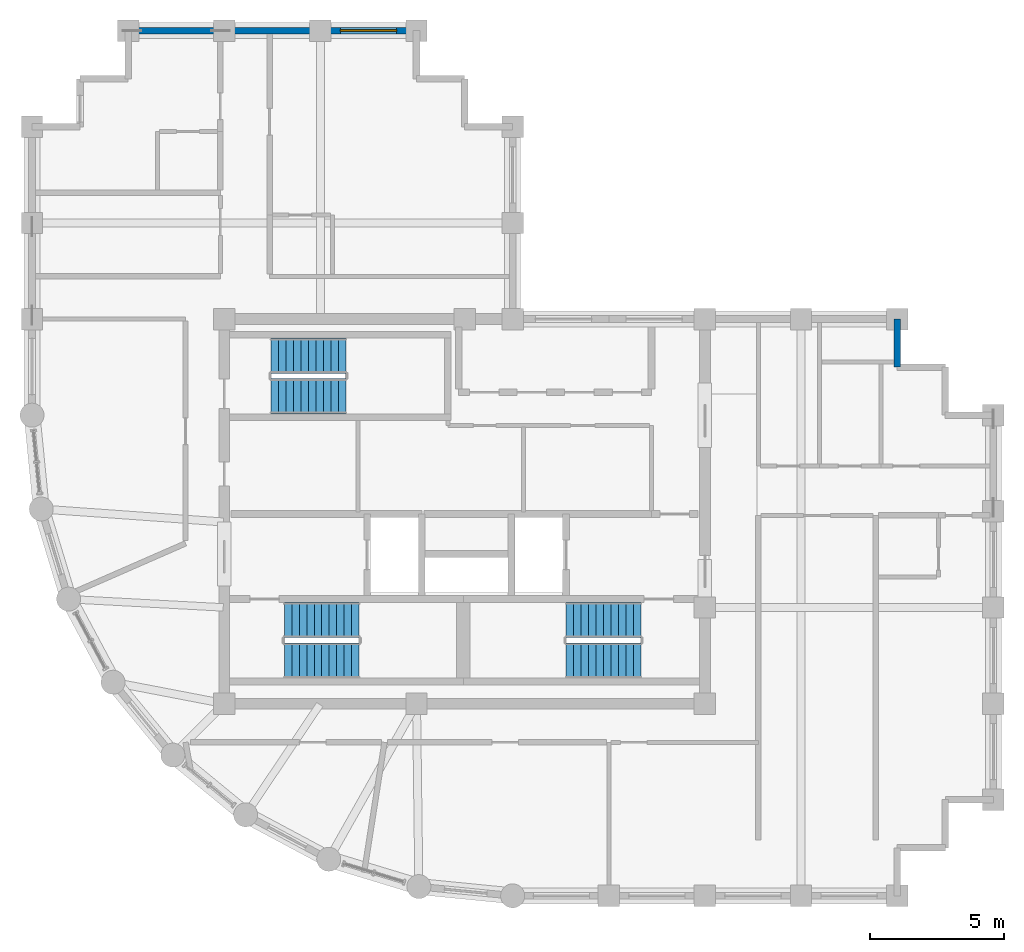
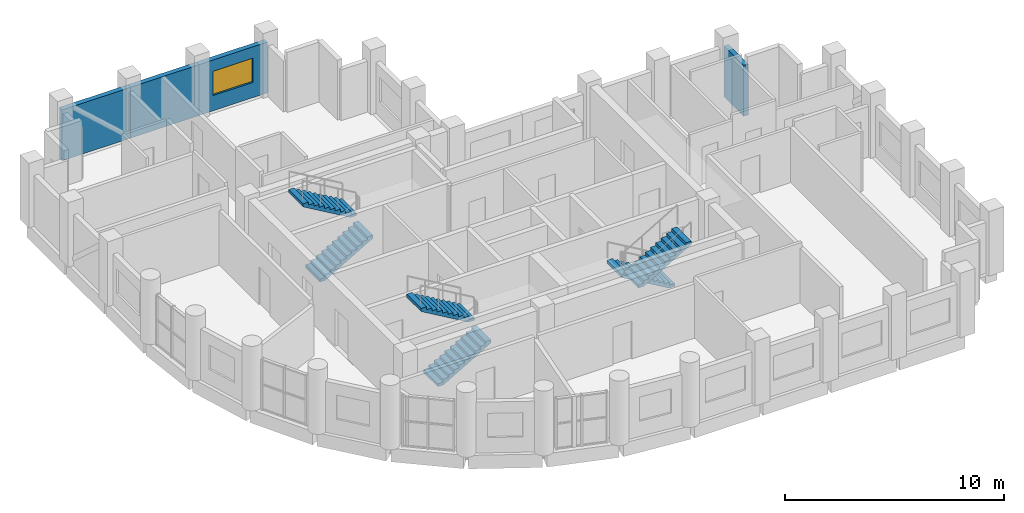
# One storey, part 10 of 11: 6 stair flights, 4 walls, 1 window, 1 opening, 3 elements without a shape of their own.
"""IFC4 building model written with IfcOpenShell, lengths in metres."""

from ifc_helpers import new_model, si_unit, direction, frame, frame_2d, origin, place, context, subcontext, project, spatial, polyline, rectangle, outline, extrude, material, layer, layer_set, type_object, element, fill, aggregate, save


model = new_model("IFC4")

# Units and contexts
model_context = context("Model", 3, precision=1e-05, world=origin(), true_north=direction((0.0, 1.0)))
body_context = subcontext(model_context, "Body", "Model", "MODEL_VIEW")
ifc_project = project(units=[si_unit("LENGTHUNIT", "METRE"), si_unit("AREAUNIT", "SQUARE_METRE"), si_unit("VOLUMEUNIT", "CUBIC_METRE"), si_unit("PLANEANGLEUNIT", "RADIAN"), si_unit("MASSUNIT", "GRAM", prefix="KILO")], contexts=[model_context])

# Site, building, storey
site_placement = place(None, origin())
site = spatial("IfcSite", under=ifc_project, at=site_placement, CompositionType="ELEMENT")
building_placement = place(site_placement, origin())
building = spatial("IfcBuilding", under=site, at=building_placement, Name="Solnavia Interchange Tower", CompositionType="ELEMENT")
storey_placement = place(building_placement, frame((0.0, 0.0, 239.0)))
storey = spatial("IfcBuildingStorey", under=building, at=storey_placement, Name="L60", CompositionType="ELEMENT", Elevation=239.0)

# Wall
ifc_material_1 = material(Name="Concrete C40/50", Category="concrete")
ifc_layer = layer(ifc_material_1, 0.25)
ifc_layer_set = layer_set([ifc_layer], Name="Concrete C40/50")
wall_type = type_object("IfcWallType", Name="Wall-ExtSpandrel-250", PredefinedType="STANDARD", material=ifc_layer_set)
wall_1_placement = place(storey_placement, frame((39.60009765625, 25.199951171875, 0.0), z_axis=(0.0, 0.0, 1.0), x_axis=(0.0, -1.0, 0.0)))
element("IfcWall", 1, at=wall_1_placement, inside=storey, type_object=wall_type, Name="EXW-L60-16 Exterior precast spandrel wall", PredefinedType="STANDARD", context=body_context, shape_type="SweptSolid", body=[
    extrude(rectangle(XDim=1.800048828125, YDim=0.25, at=frame_2d((0.89990234375, 0.0))), origin(), (0.0, 0.0, 1.0), 2.830078125),
])

# Wall, opening, window
wall_2_placement = place(storey_placement, frame((18.0, 36.0, 0.0), z_axis=(0.0, 0.0, 1.0), x_axis=(1.0, 0.0, 0.0)))
wall_2 = element("IfcWall", 2, at=wall_2_placement, inside=storey, type_object=wall_type, Name="EXW-L60-27 Exterior precast spandrel wall", PredefinedType="STANDARD", context=body_context, shape_type="SweptSolid", body=[
    extrude(rectangle(XDim=3.60009765625, YDim=0.25, at=frame_2d((1.800048828125, 0.0))), origin(), (0.0, 0.0, 1.0), 2.830078125),
])
opening_placement = place(wall_2_placement, frame((0.75, 0.0, 0.85009765625)))
opening = element("IfcOpeningElement", 3, at=opening_placement, cuts=wall_2, Name="Opening WIN-01", PredefinedType="OPENING", context=body_context, shape_type="SweptSolid", body=[
    extrude(rectangle(XDim=2.10009765625, YDim=1.35009765625, at=frame_2d((1.050048828125, 0.675048828125))), frame((0.0, 0.135009765625, 0.0), z_axis=(0.0, -1.0, 0.0), x_axis=(1.0, 0.0, 0.0)), (0.0, 0.0, 1.0), 0.27001953125),
])
ifc_material_2 = material(Name="Thermal-Break Aluminium & Low-E Glass", Category="aluminium")
window_type = type_object("IfcWindowType", Name="Window-Ribbon-2100x1350", PartitioningType="SINGLE_PANEL", PredefinedType="WINDOW", material=ifc_material_2)
window_placement = place(opening_placement, origin())
window = element("IfcWindow", 4, at=window_placement, inside=storey, type_object=window_type, Name="WIN-L60-27 Facade ribbon window", OverallHeight=1.35009765625, OverallWidth=2.10009765625, PartitioningType="SINGLE_PANEL", PredefinedType="WINDOW", context=body_context, shape_type="SweptSolid", body=[
    extrude(rectangle(XDim=2.10009765625, YDim=1.35009765625, at=frame_2d((1.050048828125, 0.675048828125))), frame((0.0, 0.030029296875, 0.0), z_axis=(0.0, -1.0, 0.0), x_axis=(1.0, 0.0, 0.0)), (0.0, 0.0, 1.0), 0.06005859375),
])
fill(opening, window)

# Walls
wall_3_placement = place(storey_placement, frame((14.39990234375, 36.0, 0.0), z_axis=(0.0, 0.0, 1.0), x_axis=(1.0, 0.0, 0.0)))
element("IfcWall", 5, at=wall_3_placement, inside=storey, type_object=wall_type, Name="EXW-L60-28 Exterior precast spandrel wall", PredefinedType="STANDARD", context=body_context, shape_type="SweptSolid", body=[
    extrude(rectangle(XDim=3.60009765625, YDim=0.25, at=frame_2d((1.800048828125, 0.0))), origin(), (0.0, 0.0, 1.0), 2.830078125),
])
wall_4_placement = place(storey_placement, frame((10.800048828125, 36.0, 0.0), z_axis=(0.0, 0.0, 1.0), x_axis=(1.0, 0.0, 0.0)))
element("IfcWall", 6, at=wall_4_placement, inside=storey, type_object=wall_type, Name="EXW-L60-29 Exterior precast spandrel wall", PredefinedType="STANDARD", context=body_context, shape_type="SweptSolid", body=[
    extrude(rectangle(XDim=3.599853515625, YDim=0.25, at=frame_2d((1.7998046875, 0.0))), origin(), (0.0, 0.0, 1.0), 2.830078125),
])

# Stair, stair flights
stair_type = type_object("IfcStairType", Name="Stair-Dogleg-RC", PredefinedType="HALF_TURN_STAIR", material=ifc_material_1)
stair_1_placement = place(storey_placement, origin())
stair_1 = element("IfcStair", 7, at=stair_1_placement, inside=storey, type_object=stair_type, Name="L60 Core exit stair 1", PredefinedType="HALF_TURN_STAIR")
stair_flight_type = type_object("IfcStairFlightType", Name="StairFlight-RC-150", PredefinedType="STRAIGHT", material=ifc_material_1)
stair_flight_1_placement = place(storey_placement, frame((16.64990234375, 12.409912109375, 0.0), z_axis=(0.0, 0.0, 1.0), x_axis=(1.0, 0.0, 0.0)))
stair_flight_1 = element("IfcStairFlight", 8, at=stair_flight_1_placement, type_object=stair_flight_type, Name="ST-1 flight 1", NumberOfRisers=11, NumberOfTreads=10, PredefinedType="STRAIGHT", RiserHeight=0.163636364, TreadLength=0.28, context=body_context, shape_type="SweptSolid", body=[
    extrude(outline(polyline([(0.0, 0.0), (0.0, 0.16357421875), (0.280029296875, 0.16357421875), (0.280029296875, 0.327392578125), (0.56005859375, 0.327392578125), (0.56005859375, 0.490966796875), (0.840087890625, 0.490966796875), (0.840087890625, 0.654541015625), (1.1201171875, 0.654541015625), (1.1201171875, 0.818115234375), (1.39990234375, 0.818115234375), (1.39990234375, 0.98193359375), (1.679931640625, 0.98193359375), (1.679931640625, 1.1455078125), (1.9599609375, 1.1455078125), (1.9599609375, 1.30908203125), (2.239990234375, 1.30908203125), (2.239990234375, 1.47265625), (2.52001953125, 1.47265625), (2.52001953125, 1.636474609375), (2.800048828125, 1.636474609375), (2.800048828125, 1.800048828125), (2.800048828125, 1.462646484375), (0.297119140625, 0.0), (0.0, 0.0)])), frame((0.0, 0.66015625, 0.0), z_axis=(0.0, -1.0, 0.0), x_axis=(1.0, 0.0, 0.0)), (0.0, 0.0, 1.0), 1.320068359375),
])
stair_flight_2_placement = place(storey_placement, frame((19.449951171875, 13.929931640625, 1.800048828125), z_axis=(0.0, 0.0, 1.0), x_axis=(-1.0, 0.0, 0.0)))
stair_flight_2 = element("IfcStairFlight", 9, at=stair_flight_2_placement, type_object=stair_flight_type, Name="ST-1 flight 2", NumberOfRisers=11, NumberOfTreads=10, PredefinedType="STRAIGHT", RiserHeight=0.163636364, TreadLength=0.28, context=body_context, shape_type="SweptSolid", body=[
    extrude(outline(polyline([(0.0, 0.0), (0.0, 0.16357421875), (0.280029296875, 0.16357421875), (0.280029296875, 0.327392578125), (0.56005859375, 0.327392578125), (0.56005859375, 0.490966796875), (0.840087890625, 0.490966796875), (0.840087890625, 0.654541015625), (1.1201171875, 0.654541015625), (1.1201171875, 0.818115234375), (1.39990234375, 0.818115234375), (1.39990234375, 0.98193359375), (1.679931640625, 0.98193359375), (1.679931640625, 1.1455078125), (1.9599609375, 1.1455078125), (1.9599609375, 1.30908203125), (2.239990234375, 1.30908203125), (2.239990234375, 1.47265625), (2.52001953125, 1.47265625), (2.52001953125, 1.636474609375), (2.800048828125, 1.636474609375), (2.800048828125, 1.800048828125), (2.800048828125, 1.462646484375), (0.297119140625, 0.0), (0.0, 0.0)])), frame((0.0, 0.66015625, 0.0), z_axis=(0.0, -1.0, 0.0), x_axis=(1.0, 0.0, 0.0)), (0.0, 0.0, 1.0), 1.320068359375),
])
aggregate(stair_1, [stair_flight_1, stair_flight_2])

stair_2_placement = place(storey_placement, origin())
stair_2 = element("IfcStair", 10, at=stair_2_placement, inside=storey, type_object=stair_type, Name="L60 Core exit stair 2", PredefinedType="HALF_TURN_STAIR")
stair_flight_3_placement = place(storey_placement, frame((30.0, 13.929931640625, 0.0), z_axis=(0.0, 0.0, 1.0), x_axis=(-1.0, 0.0, 0.0)))
stair_flight_3 = element("IfcStairFlight", 11, at=stair_flight_3_placement, type_object=stair_flight_type, Name="ST-2 flight 1", NumberOfRisers=11, NumberOfTreads=10, PredefinedType="STRAIGHT", RiserHeight=0.163636364, TreadLength=0.28, context=body_context, shape_type="SweptSolid", body=[
    extrude(outline(polyline([(0.0, 0.0), (0.0, 0.16357421875), (0.280029296875, 0.16357421875), (0.280029296875, 0.327392578125), (0.56005859375, 0.327392578125), (0.56005859375, 0.490966796875), (0.840087890625, 0.490966796875), (0.840087890625, 0.654541015625), (1.1201171875, 0.654541015625), (1.1201171875, 0.818115234375), (1.39990234375, 0.818115234375), (1.39990234375, 0.98193359375), (1.679931640625, 0.98193359375), (1.679931640625, 1.1455078125), (1.9599609375, 1.1455078125), (1.9599609375, 1.30908203125), (2.239990234375, 1.30908203125), (2.239990234375, 1.47265625), (2.52001953125, 1.47265625), (2.52001953125, 1.636474609375), (2.800048828125, 1.636474609375), (2.800048828125, 1.800048828125), (2.800048828125, 1.462646484375), (0.297119140625, 0.0), (0.0, 0.0)])), frame((0.0, 0.66015625, 0.0), z_axis=(0.0, -1.0, 0.0), x_axis=(1.0, 0.0, 0.0)), (0.0, 0.0, 1.0), 1.320068359375),
])
stair_flight_4_placement = place(storey_placement, frame((27.199951171875, 12.409912109375, 1.800048828125), z_axis=(0.0, 0.0, 1.0), x_axis=(1.0, 0.0, 0.0)))
stair_flight_4 = element("IfcStairFlight", 12, at=stair_flight_4_placement, type_object=stair_flight_type, Name="ST-2 flight 2", NumberOfRisers=11, NumberOfTreads=10, PredefinedType="STRAIGHT", RiserHeight=0.163636364, TreadLength=0.28, context=body_context, shape_type="SweptSolid", body=[
    extrude(outline(polyline([(0.0, 0.0), (0.0, 0.16357421875), (0.280029296875, 0.16357421875), (0.280029296875, 0.327392578125), (0.56005859375, 0.327392578125), (0.56005859375, 0.490966796875), (0.840087890625, 0.490966796875), (0.840087890625, 0.654541015625), (1.1201171875, 0.654541015625), (1.1201171875, 0.818115234375), (1.39990234375, 0.818115234375), (1.39990234375, 0.98193359375), (1.679931640625, 0.98193359375), (1.679931640625, 1.1455078125), (1.9599609375, 1.1455078125), (1.9599609375, 1.30908203125), (2.239990234375, 1.30908203125), (2.239990234375, 1.47265625), (2.52001953125, 1.47265625), (2.52001953125, 1.636474609375), (2.800048828125, 1.636474609375), (2.800048828125, 1.800048828125), (2.800048828125, 1.462646484375), (0.297119140625, 0.0), (0.0, 0.0)])), frame((0.0, 0.66015625, 0.0), z_axis=(0.0, -1.0, 0.0), x_axis=(1.0, 0.0, 0.0)), (0.0, 0.0, 1.0), 1.320068359375),
])
aggregate(stair_2, [stair_flight_3, stair_flight_4])

stair_3_placement = place(storey_placement, origin())
stair_3 = element("IfcStair", 13, at=stair_3_placement, inside=storey, type_object=stair_type, Name="L60 Core exit stair 3", PredefinedType="HALF_TURN_STAIR")
stair_flight_5_placement = place(storey_placement, frame((16.14990234375, 22.31005859375, 0.0), z_axis=(0.0, 0.0, 1.0), x_axis=(1.0, 0.0, 0.0)))
stair_flight_5 = element("IfcStairFlight", 14, at=stair_flight_5_placement, type_object=stair_flight_type, Name="ST-3 flight 1", NumberOfRisers=11, NumberOfTreads=10, PredefinedType="STRAIGHT", RiserHeight=0.163636364, TreadLength=0.28, context=body_context, shape_type="SweptSolid", body=[
    extrude(outline(polyline([(0.0, 0.0), (0.0, 0.16357421875), (0.280029296875, 0.16357421875), (0.280029296875, 0.327392578125), (0.56005859375, 0.327392578125), (0.56005859375, 0.490966796875), (0.840087890625, 0.490966796875), (0.840087890625, 0.654541015625), (1.1201171875, 0.654541015625), (1.1201171875, 0.818115234375), (1.39990234375, 0.818115234375), (1.39990234375, 0.98193359375), (1.679931640625, 0.98193359375), (1.679931640625, 1.1455078125), (1.9599609375, 1.1455078125), (1.9599609375, 1.30908203125), (2.239990234375, 1.30908203125), (2.239990234375, 1.47265625), (2.52001953125, 1.47265625), (2.52001953125, 1.636474609375), (2.800048828125, 1.636474609375), (2.800048828125, 1.800048828125), (2.800048828125, 1.462646484375), (0.297119140625, 0.0), (0.0, 0.0)])), frame((0.0, 0.66015625, 0.0), z_axis=(0.0, -1.0, 0.0), x_axis=(1.0, 0.0, 0.0)), (0.0, 0.0, 1.0), 1.320068359375),
])
stair_flight_6_placement = place(storey_placement, frame((18.949951171875, 23.830078125, 1.800048828125), z_axis=(0.0, 0.0, 1.0), x_axis=(-1.0, 0.0, 0.0)))
stair_flight_6 = element("IfcStairFlight", 15, at=stair_flight_6_placement, type_object=stair_flight_type, Name="ST-3 flight 2", NumberOfRisers=11, NumberOfTreads=10, PredefinedType="STRAIGHT", RiserHeight=0.163636364, TreadLength=0.28, context=body_context, shape_type="SweptSolid", body=[
    extrude(outline(polyline([(0.0, 0.0), (0.0, 0.16357421875), (0.280029296875, 0.16357421875), (0.280029296875, 0.327392578125), (0.56005859375, 0.327392578125), (0.56005859375, 0.490966796875), (0.840087890625, 0.490966796875), (0.840087890625, 0.654541015625), (1.1201171875, 0.654541015625), (1.1201171875, 0.818115234375), (1.39990234375, 0.818115234375), (1.39990234375, 0.98193359375), (1.679931640625, 0.98193359375), (1.679931640625, 1.1455078125), (1.9599609375, 1.1455078125), (1.9599609375, 1.30908203125), (2.239990234375, 1.30908203125), (2.239990234375, 1.47265625), (2.52001953125, 1.47265625), (2.52001953125, 1.636474609375), (2.800048828125, 1.636474609375), (2.800048828125, 1.800048828125), (2.800048828125, 1.462646484375), (0.297119140625, 0.0), (0.0, 0.0)])), frame((0.0, 0.66015625, 0.0), z_axis=(0.0, -1.0, 0.0), x_axis=(1.0, 0.0, 0.0)), (0.0, 0.0, 1.0), 1.320068359375),
])
aggregate(stair_3, [stair_flight_5, stair_flight_6])

save(model, "model.ifc")
